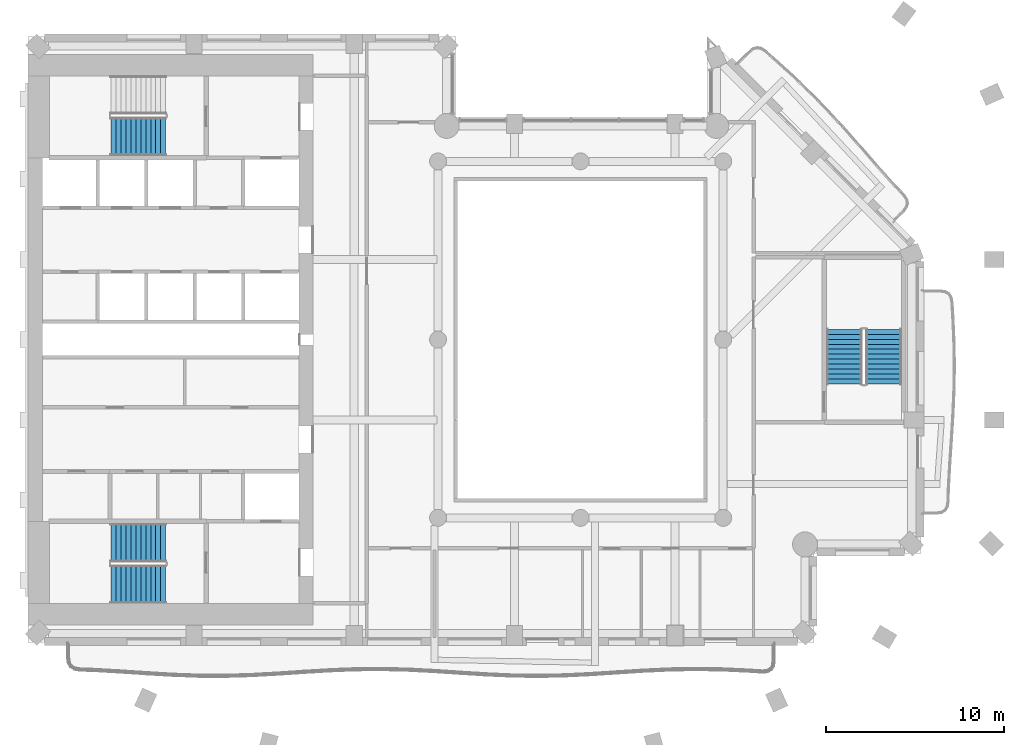
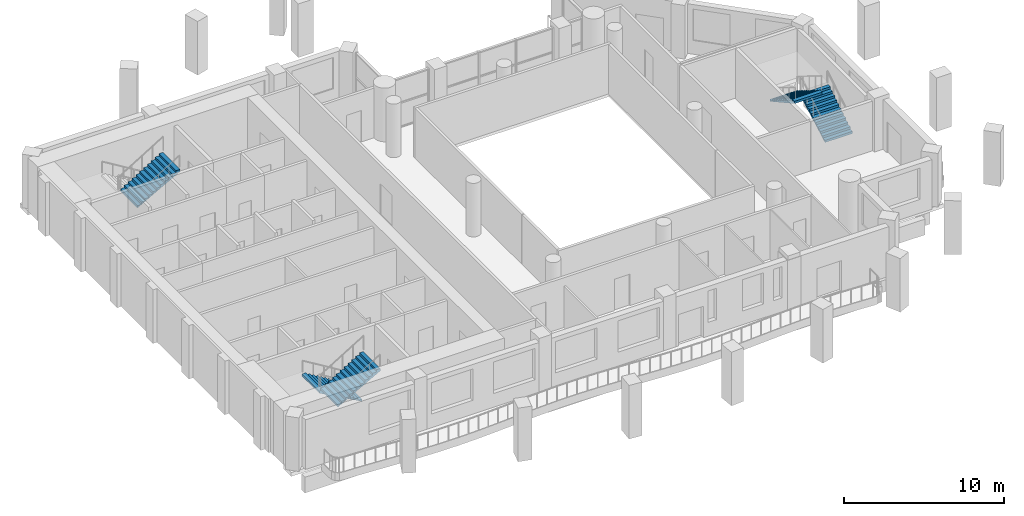
# One storey, part 7 of 13: 5 stair flights, 3 elements without a shape of their own.
"""IFC4 building model written with IfcOpenShell, lengths in metres."""

from ifc_helpers import new_model, si_unit, direction, frame, origin, place, context, subcontext, project, spatial, triangles, material, type_object, element, aggregate, save


model = new_model("IFC4")

# Units and contexts
model_context = context("Model", 3, precision=1e-05, world=origin(), true_north=direction((0.0, 1.0)))
body_context = subcontext(model_context, "Body", "Model", "MODEL_VIEW")
ifc_project = project(units=[si_unit("LENGTHUNIT", "METRE"), si_unit("AREAUNIT", "SQUARE_METRE"), si_unit("VOLUMEUNIT", "CUBIC_METRE"), si_unit("PLANEANGLEUNIT", "RADIAN"), si_unit("MASSUNIT", "GRAM", prefix="KILO")], contexts=[model_context])

# Site, building, storey
site_placement = place(None, origin())
site = spatial("IfcSite", under=ifc_project, at=site_placement, CompositionType="ELEMENT")
building_placement = place(site_placement, origin())
building = spatial("IfcBuilding", under=site, at=building_placement, Name="Cypress Arch Tower", CompositionType="ELEMENT")
storey_placement = place(building_placement, frame((0.0, 0.0, 209.699951171875)))
storey = spatial("IfcBuildingStorey", under=building, at=storey_placement, Name="L46", CompositionType="ELEMENT", Elevation=209.699951171875)

# Stair, stair flights
ifc_material_1 = material(Name="Concrete C40/50", Category="concrete")
stair_type_1 = type_object("IfcStairType", Name="Exit stair ES1708-200", PredefinedType="HALF_TURN_STAIR", material=ifc_material_1)
stair_1_placement = place(storey_placement, origin())
stair_1 = element("IfcStair", 1, at=stair_1_placement, inside=storey, type_object=stair_type_1, Name="L46 Exit stair C", PredefinedType="HALF_TURN_STAIR")
ifc_material_2 = material(Name="Concrete C40/50", Category="concrete")
stair_flight_type_1 = type_object("IfcStairFlightType", Name="Exit stair flight ES1708-200", PredefinedType="STRAIGHT", material=ifc_material_2)
stair_flight_1_placement = place(storey_placement, frame((18.0, -2.5, 0.0), z_axis=(0.0, 0.0, 1.0), x_axis=(0.0, 1.0, 0.0)))
stair_flight_1 = element("IfcStairFlight", 2, at=stair_flight_1_placement, type_object=stair_flight_type_1, Name="C flight 1", NumberOfRisers=12, NumberOfTreads=11, PredefinedType="STRAIGHT", RiserHeight=0.170833333, TreadLength=0.28, context=body_context, shape_type="Tessellation", body=[
    triangles([(0.0, -1.0, 0.0), (0.0, -1.0, 0.1708984375), (0.280029296875, -1.0, 0.1708984375), (0.280029296875, -1.0, 0.341552734375), (0.56005859375, -1.0, 0.341552734375), (0.56005859375, -1.0, 0.512451171875), (0.840087890625, -1.0, 0.512451171875), (0.840087890625, -1.0, 0.683349609375), (1.1201171875, -1.0, 0.683349609375), (1.1201171875, -1.0, 0.854248046875), (1.39990234375, -1.0, 0.854248046875), (1.39990234375, -1.0, 1.02490234375), (1.679931640625, -1.0, 1.02490234375), (1.679931640625, -1.0, 1.19580078125), (1.9599609375, -1.0, 1.19580078125), (1.9599609375, -1.0, 1.36669921875), (2.239990234375, -1.0, 1.36669921875), (2.239990234375, -1.0, 1.53759765625), (2.52001953125, -1.0, 1.53759765625), (2.52001953125, -1.0, 1.708251953125), (2.800048828125, -1.0, 1.708251953125), (2.800048828125, -1.0, 1.879150390625), (3.080078125, -1.0, 1.879150390625), (3.080078125, -1.0, 1.70361328125), (3.080078125, 1.0, 1.70361328125), (3.080078125, 1.0, 1.879150390625), (2.800048828125, 1.0, 1.879150390625), (2.800048828125, 1.0, 1.708251953125), (2.52001953125, 1.0, 1.708251953125), (2.52001953125, 1.0, 1.53759765625), (2.239990234375, 1.0, 1.53759765625), (2.239990234375, 1.0, 1.36669921875), (1.9599609375, 1.0, 1.36669921875), (1.9599609375, 1.0, 1.19580078125), (1.679931640625, 1.0, 1.19580078125), (1.679931640625, 1.0, 1.02490234375), (1.39990234375, 1.0, 1.02490234375), (1.39990234375, 1.0, 0.854248046875), (1.1201171875, 1.0, 0.854248046875), (1.1201171875, 1.0, 0.683349609375), (0.840087890625, 1.0, 0.683349609375), (0.840087890625, 1.0, 0.512451171875), (0.56005859375, 1.0, 0.512451171875), (0.56005859375, 1.0, 0.341552734375), (0.280029296875, 1.0, 0.341552734375), (0.280029296875, 1.0, 0.1708984375), (0.0, 1.0, 0.1708984375), (0.0, 1.0, 0.0), (3.080078125, 0.0, 1.879150390625), (3.080078125, 0.0, 1.70361328125), (2.800048828125, 0.0, 1.879150390625), (2.800048828125, 0.0, 1.708251953125), (2.52001953125, 0.0, 1.708251953125), (2.52001953125, 0.0, 1.53759765625), (2.239990234375, 0.0, 1.53759765625), (2.239990234375, 0.0, 1.36669921875), (1.9599609375, 0.0, 1.36669921875), (1.9599609375, 0.0, 1.19580078125), (1.679931640625, 0.0, 1.19580078125), (1.679931640625, 0.0, 1.02490234375), (1.39990234375, 0.0, 1.02490234375), (1.39990234375, 0.0, 0.854248046875), (1.1201171875, 0.0, 0.854248046875), (1.1201171875, 0.0, 0.683349609375), (0.840087890625, 0.0, 0.683349609375), (0.840087890625, 0.0, 0.512451171875), (0.56005859375, 0.0, 0.512451171875), (0.56005859375, 0.0, 0.341552734375), (0.280029296875, 0.0, 0.341552734375), (0.280029296875, 0.0, 0.1708984375), (0.0, 0.0, 0.1708984375), (0.0, 0.0, 0.0)], [[24, 23, 22], [11, 10, 9], [19, 18, 17], [17, 16, 15], [15, 14, 13], [9, 8, 7], [7, 6, 5], [3, 2, 1], [21, 20, 19], [13, 12, 11], [5, 4, 3], [24, 22, 21], [24, 21, 19], [24, 19, 17], [24, 17, 15], [24, 15, 13], [24, 13, 11], [24, 11, 9], [24, 9, 7], [24, 7, 5], [1, 24, 5], [5, 3, 1], [25, 27, 26], [38, 40, 39], [30, 32, 31], [32, 34, 33], [34, 36, 35], [40, 42, 41], [42, 44, 43], [46, 48, 47], [28, 30, 29], [36, 38, 37], [44, 46, 45], [25, 28, 27], [25, 30, 28], [25, 32, 30], [25, 34, 32], [25, 36, 34], [25, 38, 36], [25, 40, 38], [25, 42, 40], [25, 44, 42], [48, 44, 25], [44, 48, 46], [50, 49, 23], [50, 23, 24], [25, 26, 49], [25, 49, 50], [49, 51, 22], [49, 22, 23], [26, 27, 51], [26, 51, 49], [51, 52, 21], [51, 21, 22], [27, 28, 52], [27, 52, 51], [52, 53, 20], [52, 20, 21], [28, 29, 53], [28, 53, 52], [53, 54, 19], [53, 19, 20], [29, 30, 54], [29, 54, 53], [54, 55, 18], [54, 18, 19], [30, 31, 55], [30, 55, 54], [55, 56, 17], [55, 17, 18], [31, 32, 56], [31, 56, 55], [56, 57, 16], [56, 16, 17], [32, 33, 57], [32, 57, 56], [57, 58, 15], [57, 15, 16], [33, 34, 58], [33, 58, 57], [58, 59, 14], [58, 14, 15], [34, 35, 59], [34, 59, 58], [59, 60, 13], [59, 13, 14], [35, 36, 60], [35, 60, 59], [60, 61, 12], [60, 12, 13], [36, 37, 61], [36, 61, 60], [61, 62, 11], [61, 11, 12], [37, 38, 62], [37, 62, 61], [62, 63, 10], [62, 10, 11], [38, 39, 63], [38, 63, 62], [63, 64, 9], [63, 9, 10], [39, 40, 64], [39, 64, 63], [64, 65, 8], [64, 8, 9], [40, 41, 65], [40, 65, 64], [65, 66, 7], [65, 7, 8], [41, 42, 66], [41, 66, 65], [66, 67, 6], [66, 6, 7], [42, 43, 67], [42, 67, 66], [67, 68, 5], [67, 5, 6], [43, 44, 68], [43, 68, 67], [68, 69, 4], [68, 4, 5], [44, 45, 69], [44, 69, 68], [69, 70, 3], [69, 3, 4], [45, 46, 70], [45, 70, 69], [70, 71, 2], [70, 2, 3], [46, 47, 71], [46, 71, 70], [71, 72, 1], [71, 1, 2], [47, 48, 72], [47, 72, 71], [72, 50, 24], [72, 24, 1], [48, 25, 50], [48, 50, 72]], closed=True),
])
stair_flight_2_placement = place(storey_placement, frame((15.800048828125, 0.580078125, 2.050048828125), z_axis=(0.0, 0.0, 1.0), x_axis=(0.0, -1.0, 0.0)))
stair_flight_2 = element("IfcStairFlight", 3, at=stair_flight_2_placement, type_object=stair_flight_type_1, Name="C flight 2", NumberOfRisers=12, NumberOfTreads=11, PredefinedType="STRAIGHT", RiserHeight=0.170833333, TreadLength=0.28, context=body_context, shape_type="Tessellation", body=[
    triangles([(0.0, -1.0, 0.0), (0.0, -1.0, 0.1708984375), (0.280029296875, -1.0, 0.1708984375), (0.280029296875, -1.0, 0.341552734375), (0.56005859375, -1.0, 0.341552734375), (0.56005859375, -1.0, 0.512451171875), (0.840087890625, -1.0, 0.512451171875), (0.840087890625, -1.0, 0.683349609375), (1.1201171875, -1.0, 0.683349609375), (1.1201171875, -1.0, 0.854248046875), (1.39990234375, -1.0, 0.854248046875), (1.39990234375, -1.0, 1.02490234375), (1.679931640625, -1.0, 1.02490234375), (1.679931640625, -1.0, 1.19580078125), (1.9599609375, -1.0, 1.19580078125), (1.9599609375, -1.0, 1.36669921875), (2.239990234375, -1.0, 1.36669921875), (2.239990234375, -1.0, 1.53759765625), (2.52001953125, -1.0, 1.53759765625), (2.52001953125, -1.0, 1.708251953125), (2.800048828125, -1.0, 1.708251953125), (2.800048828125, -1.0, 1.879150390625), (3.080078125, -1.0, 1.879150390625), (3.080078125, -1.0, 1.70361328125), (3.080078125, 1.0, 1.70361328125), (3.080078125, 1.0, 1.879150390625), (2.800048828125, 1.0, 1.879150390625), (2.800048828125, 1.0, 1.708251953125), (2.52001953125, 1.0, 1.708251953125), (2.52001953125, 1.0, 1.53759765625), (2.239990234375, 1.0, 1.53759765625), (2.239990234375, 1.0, 1.36669921875), (1.9599609375, 1.0, 1.36669921875), (1.9599609375, 1.0, 1.19580078125), (1.679931640625, 1.0, 1.19580078125), (1.679931640625, 1.0, 1.02490234375), (1.39990234375, 1.0, 1.02490234375), (1.39990234375, 1.0, 0.854248046875), (1.1201171875, 1.0, 0.854248046875), (1.1201171875, 1.0, 0.683349609375), (0.840087890625, 1.0, 0.683349609375), (0.840087890625, 1.0, 0.512451171875), (0.56005859375, 1.0, 0.512451171875), (0.56005859375, 1.0, 0.341552734375), (0.280029296875, 1.0, 0.341552734375), (0.280029296875, 1.0, 0.1708984375), (0.0, 1.0, 0.1708984375), (0.0, 1.0, 0.0), (3.080078125, 0.0, 1.879150390625), (3.080078125, 0.0, 1.70361328125), (2.800048828125, 0.0, 1.879150390625), (2.800048828125, 0.0, 1.708251953125), (2.52001953125, 0.0, 1.708251953125), (2.52001953125, 0.0, 1.53759765625), (2.239990234375, 0.0, 1.53759765625), (2.239990234375, 0.0, 1.36669921875), (1.9599609375, 0.0, 1.36669921875), (1.9599609375, 0.0, 1.19580078125), (1.679931640625, 0.0, 1.19580078125), (1.679931640625, 0.0, 1.02490234375), (1.39990234375, 0.0, 1.02490234375), (1.39990234375, 0.0, 0.854248046875), (1.1201171875, 0.0, 0.854248046875), (1.1201171875, 0.0, 0.683349609375), (0.840087890625, 0.0, 0.683349609375), (0.840087890625, 0.0, 0.512451171875), (0.56005859375, 0.0, 0.512451171875), (0.56005859375, 0.0, 0.341552734375), (0.280029296875, 0.0, 0.341552734375), (0.280029296875, 0.0, 0.1708984375), (0.0, 0.0, 0.1708984375), (0.0, 0.0, 0.0)], [[24, 23, 22], [11, 10, 9], [19, 18, 17], [17, 16, 15], [15, 14, 13], [9, 8, 7], [7, 6, 5], [3, 2, 1], [21, 20, 19], [13, 12, 11], [5, 4, 3], [24, 22, 21], [24, 21, 19], [24, 19, 17], [24, 17, 15], [24, 15, 13], [24, 13, 11], [24, 11, 9], [24, 9, 7], [24, 7, 5], [1, 24, 5], [5, 3, 1], [25, 27, 26], [38, 40, 39], [30, 32, 31], [32, 34, 33], [34, 36, 35], [40, 42, 41], [42, 44, 43], [46, 48, 47], [28, 30, 29], [36, 38, 37], [44, 46, 45], [25, 28, 27], [25, 30, 28], [25, 32, 30], [25, 34, 32], [25, 36, 34], [25, 38, 36], [25, 40, 38], [25, 42, 40], [25, 44, 42], [48, 44, 25], [44, 48, 46], [50, 49, 23], [50, 23, 24], [25, 26, 49], [25, 49, 50], [49, 51, 22], [49, 22, 23], [26, 27, 51], [26, 51, 49], [51, 52, 21], [51, 21, 22], [27, 28, 52], [27, 52, 51], [52, 53, 20], [52, 20, 21], [28, 29, 53], [28, 53, 52], [53, 54, 19], [53, 19, 20], [29, 30, 54], [29, 54, 53], [54, 55, 18], [54, 18, 19], [30, 31, 55], [30, 55, 54], [55, 56, 17], [55, 17, 18], [31, 32, 56], [31, 56, 55], [56, 57, 16], [56, 16, 17], [32, 33, 57], [32, 57, 56], [57, 58, 15], [57, 15, 16], [33, 34, 58], [33, 58, 57], [58, 59, 14], [58, 14, 15], [34, 35, 59], [34, 59, 58], [59, 60, 13], [59, 13, 14], [35, 36, 60], [35, 60, 59], [60, 61, 12], [60, 12, 13], [36, 37, 61], [36, 61, 60], [61, 62, 11], [61, 11, 12], [37, 38, 62], [37, 62, 61], [62, 63, 10], [62, 10, 11], [38, 39, 63], [38, 63, 62], [63, 64, 9], [63, 9, 10], [39, 40, 64], [39, 64, 63], [64, 65, 8], [64, 8, 9], [40, 41, 65], [40, 65, 64], [65, 66, 7], [65, 7, 8], [41, 42, 66], [41, 66, 65], [66, 67, 6], [66, 6, 7], [42, 43, 67], [42, 67, 66], [67, 68, 5], [67, 5, 6], [43, 44, 68], [43, 68, 67], [68, 69, 4], [68, 4, 5], [44, 45, 69], [44, 69, 68], [69, 70, 3], [69, 3, 4], [45, 46, 70], [45, 70, 69], [70, 71, 2], [70, 2, 3], [46, 47, 71], [46, 71, 70], [71, 72, 1], [71, 1, 2], [47, 48, 72], [47, 72, 71], [72, 50, 24], [72, 24, 1], [48, 25, 50], [48, 50, 72]], closed=True),
])
aggregate(stair_1, [stair_flight_1, stair_flight_2])

ifc_material_3 = material(Name="Concrete C40/50", Category="concrete")
stair_type_2 = type_object("IfcStairType", Name="Exit stair ES1708-215", PredefinedType="HALF_TURN_STAIR", material=ifc_material_3)
stair_2_placement = place(storey_placement, origin())
stair_2 = element("IfcStair", 4, at=stair_2_placement, inside=storey, type_object=stair_type_2, Name="L46 Exit stair A", PredefinedType="HALF_TURN_STAIR")
ifc_material_4 = material(Name="Concrete C40/50", Category="concrete")
stair_flight_type_2 = type_object("IfcStairFlightType", Name="Exit stair flight ES1708-215", PredefinedType="STRAIGHT", material=ifc_material_4)
stair_flight_3_placement = place(storey_placement, frame((-22.27490234375, -11.39990234375, 0.0), z_axis=(0.0, 0.0, 1.0), x_axis=(-1.0, 0.0, 0.0)))
stair_flight_3 = element("IfcStairFlight", 5, at=stair_flight_3_placement, type_object=stair_flight_type_2, Name="A flight 1", NumberOfRisers=12, NumberOfTreads=11, PredefinedType="STRAIGHT", RiserHeight=0.170833333, TreadLength=0.28, context=body_context, shape_type="Tessellation", body=[
    triangles([(0.0, -1.074951171875, 0.0), (0.000244140625, -1.074951171875, 0.01904296875), (0.000244140625, -1.074951171875, 0.0380859375), (0.00048828125, -1.074951171875, 0.056884765625), (0.00048828125, -1.074951171875, 0.075927734375), (0.00048828125, -1.074951171875, 0.094970703125), (0.00048828125, -1.074951171875, 0.114013671875), (0.000244140625, -1.074951171875, 0.1328125), (0.000244140625, -1.074951171875, 0.15185546875), (0.0, -1.074951171875, 0.1708984375), (0.280029296875, -1.074951171875, 0.1708984375), (0.280029296875, -1.074951171875, 0.341552734375), (0.56005859375, -1.074951171875, 0.341552734375), (0.56005859375, -1.074951171875, 0.512451171875), (0.840087890625, -1.074951171875, 0.512451171875), (0.840087890625, -1.074951171875, 0.683349609375), (1.1201171875, -1.074951171875, 0.683349609375), (1.1201171875, -1.074951171875, 0.854248046875), (1.39990234375, -1.074951171875, 0.854248046875), (1.39990234375, -1.074951171875, 1.02490234375), (1.679931640625, -1.074951171875, 1.02490234375), (1.679931640625, -1.074951171875, 1.19580078125), (1.9599609375, -1.074951171875, 1.19580078125), (1.9599609375, -1.074951171875, 1.36669921875), (2.239990234375, -1.074951171875, 1.36669921875), (2.239990234375, -1.074951171875, 1.53759765625), (2.52001953125, -1.074951171875, 1.53759765625), (2.52001953125, -1.074951171875, 1.708251953125), (2.800048828125, -1.074951171875, 1.708251953125), (2.800048828125, -1.074951171875, 1.879150390625), (3.080078125, -1.074951171875, 1.879150390625), (3.079833984375, -1.074951171875, 1.859619140625), (3.079833984375, -1.074951171875, 1.840087890625), (3.07958984375, -1.074951171875, 1.820556640625), (3.07958984375, -1.074951171875, 1.801025390625), (3.07958984375, -1.074951171875, 1.78173828125), (3.07958984375, -1.074951171875, 1.76220703125), (3.079833984375, -1.074951171875, 1.74267578125), (3.079833984375, -1.074951171875, 1.72314453125), (3.080078125, -1.074951171875, 1.70361328125), (3.080078125, 1.074951171875, 1.70361328125), (3.079833984375, 1.074951171875, 1.72314453125), (3.079833984375, 1.074951171875, 1.74267578125), (3.07958984375, 1.074951171875, 1.76220703125), (3.07958984375, 1.074951171875, 1.78173828125), (3.07958984375, 1.074951171875, 1.801025390625), (3.07958984375, 1.074951171875, 1.820556640625), (3.079833984375, 1.074951171875, 1.840087890625), (3.079833984375, 1.074951171875, 1.859619140625), (3.080078125, 1.074951171875, 1.879150390625), (2.800048828125, 1.074951171875, 1.879150390625), (2.800048828125, 1.074951171875, 1.708251953125), (2.52001953125, 1.074951171875, 1.708251953125), (2.52001953125, 1.074951171875, 1.53759765625), (2.239990234375, 1.074951171875, 1.53759765625), (2.239990234375, 1.074951171875, 1.36669921875), (1.9599609375, 1.074951171875, 1.36669921875), (1.9599609375, 1.074951171875, 1.19580078125), (1.679931640625, 1.074951171875, 1.19580078125), (1.679931640625, 1.074951171875, 1.02490234375), (1.39990234375, 1.074951171875, 1.02490234375), (1.39990234375, 1.074951171875, 0.854248046875), (1.1201171875, 1.074951171875, 0.854248046875), (1.1201171875, 1.074951171875, 0.683349609375), (0.840087890625, 1.074951171875, 0.683349609375), (0.840087890625, 1.074951171875, 0.512451171875), (0.56005859375, 1.074951171875, 0.512451171875), (0.56005859375, 1.074951171875, 0.341552734375), (0.280029296875, 1.074951171875, 0.341552734375), (0.280029296875, 1.074951171875, 0.1708984375), (0.0, 1.074951171875, 0.1708984375), (0.000244140625, 1.074951171875, 0.15185546875), (0.000244140625, 1.074951171875, 0.1328125), (0.00048828125, 1.074951171875, 0.114013671875), (0.00048828125, 1.074951171875, 0.094970703125), (0.00048828125, 1.074951171875, 0.075927734375), (0.00048828125, 1.074951171875, 0.056884765625), (0.000244140625, 1.074951171875, 0.0380859375), (0.000244140625, 1.074951171875, 0.01904296875), (0.0, 1.074951171875, 0.0)], [[40, 39, 30], [39, 38, 30], [38, 37, 30], [37, 36, 30], [36, 35, 30], [35, 34, 30], [34, 33, 30], [33, 32, 30], [32, 31, 30], [19, 18, 17], [27, 26, 25], [25, 24, 23], [23, 22, 21], [17, 16, 15], [15, 14, 13], [10, 9, 11], [9, 8, 11], [8, 7, 11], [7, 6, 11], [6, 5, 11], [5, 4, 11], [4, 3, 11], [3, 2, 11], [2, 1, 11], [29, 28, 27], [21, 20, 19], [13, 12, 11], [40, 30, 29], [40, 29, 27], [40, 27, 25], [40, 25, 23], [40, 23, 21], [40, 21, 19], [40, 19, 17], [40, 17, 15], [40, 15, 13], [1, 40, 13], [13, 11, 1], [41, 51, 42], [42, 51, 43], [43, 51, 44], [44, 51, 45], [45, 51, 46], [46, 51, 47], [47, 51, 48], [48, 51, 49], [49, 51, 50], [62, 64, 63], [54, 56, 55], [56, 58, 57], [58, 60, 59], [64, 66, 65], [66, 68, 67], [71, 70, 72], [72, 70, 73], [73, 70, 74], [74, 70, 75], [75, 70, 76], [76, 70, 77], [77, 70, 78], [78, 70, 79], [79, 70, 80], [52, 54, 53], [60, 62, 61], [68, 70, 69], [41, 52, 51], [41, 54, 52], [41, 56, 54], [41, 58, 56], [41, 60, 58], [41, 62, 60], [41, 64, 62], [41, 66, 64], [41, 68, 66], [80, 68, 41], [68, 80, 70], [41, 42, 39], [41, 39, 40], [42, 43, 38], [42, 38, 39], [43, 44, 37], [43, 37, 38], [44, 45, 36], [44, 36, 37], [45, 46, 35], [45, 35, 36], [46, 47, 34], [46, 34, 35], [47, 48, 33], [47, 33, 34], [48, 49, 32], [48, 32, 33], [49, 50, 31], [49, 31, 32], [50, 51, 30], [50, 30, 31], [51, 52, 29], [51, 29, 30], [52, 53, 28], [52, 28, 29], [53, 54, 27], [53, 27, 28], [54, 55, 26], [54, 26, 27], [55, 56, 25], [55, 25, 26], [56, 57, 24], [56, 24, 25], [57, 58, 23], [57, 23, 24], [58, 59, 22], [58, 22, 23], [59, 60, 21], [59, 21, 22], [60, 61, 20], [60, 20, 21], [61, 62, 19], [61, 19, 20], [62, 63, 18], [62, 18, 19], [63, 64, 17], [63, 17, 18], [64, 65, 16], [64, 16, 17], [65, 66, 15], [65, 15, 16], [66, 67, 14], [66, 14, 15], [67, 68, 13], [67, 13, 14], [68, 69, 12], [68, 12, 13], [69, 70, 11], [69, 11, 12], [70, 71, 10], [70, 10, 11], [71, 72, 9], [71, 9, 10], [72, 73, 8], [72, 8, 9], [73, 74, 7], [73, 7, 8], [74, 75, 6], [74, 6, 7], [75, 76, 5], [75, 5, 6], [76, 77, 4], [76, 4, 5], [77, 78, 3], [77, 3, 4], [78, 79, 2], [78, 2, 3], [79, 80, 1], [79, 1, 2], [80, 41, 40], [80, 40, 1]], closed=True),
])
stair_flight_4_placement = place(storey_placement, frame((-25.35498046875, -13.72509765625, 2.050048828125), z_axis=(0.0, 0.0, 1.0), x_axis=(1.0, 0.0, 0.0)))
stair_flight_4 = element("IfcStairFlight", 6, at=stair_flight_4_placement, type_object=stair_flight_type_2, Name="A flight 2", NumberOfRisers=12, NumberOfTreads=11, PredefinedType="STRAIGHT", RiserHeight=0.170833333, TreadLength=0.28, context=body_context, shape_type="Tessellation", body=[
    triangles([(0.0, -1.074951171875, 0.0), (0.000244140625, -1.074951171875, 0.01904296875), (0.000244140625, -1.074951171875, 0.0380859375), (0.00048828125, -1.074951171875, 0.056884765625), (0.00048828125, -1.074951171875, 0.075927734375), (0.00048828125, -1.074951171875, 0.094970703125), (0.00048828125, -1.074951171875, 0.114013671875), (0.000244140625, -1.074951171875, 0.1328125), (0.000244140625, -1.074951171875, 0.15185546875), (0.0, -1.074951171875, 0.1708984375), (0.280029296875, -1.074951171875, 0.1708984375), (0.280029296875, -1.074951171875, 0.341552734375), (0.56005859375, -1.074951171875, 0.341552734375), (0.56005859375, -1.074951171875, 0.512451171875), (0.840087890625, -1.074951171875, 0.512451171875), (0.840087890625, -1.074951171875, 0.683349609375), (1.1201171875, -1.074951171875, 0.683349609375), (1.1201171875, -1.074951171875, 0.854248046875), (1.39990234375, -1.074951171875, 0.854248046875), (1.39990234375, -1.074951171875, 1.02490234375), (1.679931640625, -1.074951171875, 1.02490234375), (1.679931640625, -1.074951171875, 1.19580078125), (1.9599609375, -1.074951171875, 1.19580078125), (1.9599609375, -1.074951171875, 1.36669921875), (2.239990234375, -1.074951171875, 1.36669921875), (2.239990234375, -1.074951171875, 1.53759765625), (2.52001953125, -1.074951171875, 1.53759765625), (2.52001953125, -1.074951171875, 1.708251953125), (2.800048828125, -1.074951171875, 1.708251953125), (2.800048828125, -1.074951171875, 1.879150390625), (3.080078125, -1.074951171875, 1.879150390625), (3.079833984375, -1.074951171875, 1.859619140625), (3.079833984375, -1.074951171875, 1.840087890625), (3.07958984375, -1.074951171875, 1.820556640625), (3.07958984375, -1.074951171875, 1.801025390625), (3.07958984375, -1.074951171875, 1.78173828125), (3.07958984375, -1.074951171875, 1.76220703125), (3.079833984375, -1.074951171875, 1.74267578125), (3.079833984375, -1.074951171875, 1.72314453125), (3.080078125, -1.074951171875, 1.70361328125), (3.080078125, 1.074951171875, 1.70361328125), (3.079833984375, 1.074951171875, 1.72314453125), (3.079833984375, 1.074951171875, 1.74267578125), (3.07958984375, 1.074951171875, 1.76220703125), (3.07958984375, 1.074951171875, 1.78173828125), (3.07958984375, 1.074951171875, 1.801025390625), (3.07958984375, 1.074951171875, 1.820556640625), (3.079833984375, 1.074951171875, 1.840087890625), (3.079833984375, 1.074951171875, 1.859619140625), (3.080078125, 1.074951171875, 1.879150390625), (2.800048828125, 1.074951171875, 1.879150390625), (2.800048828125, 1.074951171875, 1.708251953125), (2.52001953125, 1.074951171875, 1.708251953125), (2.52001953125, 1.074951171875, 1.53759765625), (2.239990234375, 1.074951171875, 1.53759765625), (2.239990234375, 1.074951171875, 1.36669921875), (1.9599609375, 1.074951171875, 1.36669921875), (1.9599609375, 1.074951171875, 1.19580078125), (1.679931640625, 1.074951171875, 1.19580078125), (1.679931640625, 1.074951171875, 1.02490234375), (1.39990234375, 1.074951171875, 1.02490234375), (1.39990234375, 1.074951171875, 0.854248046875), (1.1201171875, 1.074951171875, 0.854248046875), (1.1201171875, 1.074951171875, 0.683349609375), (0.840087890625, 1.074951171875, 0.683349609375), (0.840087890625, 1.074951171875, 0.512451171875), (0.56005859375, 1.074951171875, 0.512451171875), (0.56005859375, 1.074951171875, 0.341552734375), (0.280029296875, 1.074951171875, 0.341552734375), (0.280029296875, 1.074951171875, 0.1708984375), (0.0, 1.074951171875, 0.1708984375), (0.000244140625, 1.074951171875, 0.15185546875), (0.000244140625, 1.074951171875, 0.1328125), (0.00048828125, 1.074951171875, 0.114013671875), (0.00048828125, 1.074951171875, 0.094970703125), (0.00048828125, 1.074951171875, 0.075927734375), (0.00048828125, 1.074951171875, 0.056884765625), (0.000244140625, 1.074951171875, 0.0380859375), (0.000244140625, 1.074951171875, 0.01904296875), (0.0, 1.074951171875, 0.0)], [[40, 39, 30], [39, 38, 30], [38, 37, 30], [37, 36, 30], [36, 35, 30], [35, 34, 30], [34, 33, 30], [33, 32, 30], [32, 31, 30], [19, 18, 17], [27, 26, 25], [25, 24, 23], [23, 22, 21], [17, 16, 15], [15, 14, 13], [10, 9, 11], [9, 8, 11], [8, 7, 11], [7, 6, 11], [6, 5, 11], [5, 4, 11], [4, 3, 11], [3, 2, 11], [2, 1, 11], [29, 28, 27], [21, 20, 19], [13, 12, 11], [40, 30, 29], [40, 29, 27], [40, 27, 25], [40, 25, 23], [40, 23, 21], [40, 21, 19], [40, 19, 17], [40, 17, 15], [40, 15, 13], [1, 40, 13], [13, 11, 1], [41, 51, 42], [42, 51, 43], [43, 51, 44], [44, 51, 45], [45, 51, 46], [46, 51, 47], [47, 51, 48], [48, 51, 49], [49, 51, 50], [62, 64, 63], [54, 56, 55], [56, 58, 57], [58, 60, 59], [64, 66, 65], [66, 68, 67], [71, 70, 72], [72, 70, 73], [73, 70, 74], [74, 70, 75], [75, 70, 76], [76, 70, 77], [77, 70, 78], [78, 70, 79], [79, 70, 80], [52, 54, 53], [60, 62, 61], [68, 70, 69], [41, 52, 51], [41, 54, 52], [41, 56, 54], [41, 58, 56], [41, 60, 58], [41, 62, 60], [41, 64, 62], [41, 66, 64], [41, 68, 66], [80, 68, 41], [68, 80, 70], [41, 42, 39], [41, 39, 40], [42, 43, 38], [42, 38, 39], [43, 44, 37], [43, 37, 38], [44, 45, 36], [44, 36, 37], [45, 46, 35], [45, 35, 36], [46, 47, 34], [46, 34, 35], [47, 48, 33], [47, 33, 34], [48, 49, 32], [48, 32, 33], [49, 50, 31], [49, 31, 32], [50, 51, 30], [50, 30, 31], [51, 52, 29], [51, 29, 30], [52, 53, 28], [52, 28, 29], [53, 54, 27], [53, 27, 28], [54, 55, 26], [54, 26, 27], [55, 56, 25], [55, 25, 26], [56, 57, 24], [56, 24, 25], [57, 58, 23], [57, 23, 24], [58, 59, 22], [58, 22, 23], [59, 60, 21], [59, 21, 22], [60, 61, 20], [60, 20, 21], [61, 62, 19], [61, 19, 20], [62, 63, 18], [62, 18, 19], [63, 64, 17], [63, 17, 18], [64, 65, 16], [64, 16, 17], [65, 66, 15], [65, 15, 16], [66, 67, 14], [66, 14, 15], [67, 68, 13], [67, 13, 14], [68, 69, 12], [68, 12, 13], [69, 70, 11], [69, 11, 12], [70, 71, 10], [70, 10, 11], [71, 72, 9], [71, 9, 10], [72, 73, 8], [72, 8, 9], [73, 74, 7], [73, 7, 8], [74, 75, 6], [74, 6, 7], [75, 76, 5], [75, 5, 6], [76, 77, 4], [76, 4, 5], [77, 78, 3], [77, 3, 4], [78, 79, 2], [78, 2, 3], [79, 80, 1], [79, 1, 2], [80, 41, 40], [80, 40, 1]], closed=True),
])
aggregate(stair_2, [stair_flight_3, stair_flight_4])

# Stair, stair flight
stair_3_placement = place(storey_placement, origin())
stair_3 = element("IfcStair", 7, at=stair_3_placement, inside=storey, type_object=stair_type_2, Name="L46 Exit stair B", PredefinedType="HALF_TURN_STAIR")
stair_flight_5_placement = place(storey_placement, frame((-25.35498046875, 11.39990234375, 2.050048828125), z_axis=(0.0, 0.0, 1.0), x_axis=(1.0, 0.0, 0.0)))
stair_flight_5 = element("IfcStairFlight", 8, at=stair_flight_5_placement, type_object=stair_flight_type_2, Name="B flight 2", NumberOfRisers=12, NumberOfTreads=11, PredefinedType="STRAIGHT", RiserHeight=0.170833333, TreadLength=0.28, context=body_context, shape_type="Tessellation", body=[
    triangles([(0.0, -1.074951171875, 0.0), (0.000244140625, -1.074951171875, 0.01904296875), (0.000244140625, -1.074951171875, 0.0380859375), (0.00048828125, -1.074951171875, 0.056884765625), (0.00048828125, -1.074951171875, 0.075927734375), (0.00048828125, -1.074951171875, 0.094970703125), (0.00048828125, -1.074951171875, 0.114013671875), (0.000244140625, -1.074951171875, 0.1328125), (0.000244140625, -1.074951171875, 0.15185546875), (0.0, -1.074951171875, 0.1708984375), (0.280029296875, -1.074951171875, 0.1708984375), (0.280029296875, -1.074951171875, 0.341552734375), (0.56005859375, -1.074951171875, 0.341552734375), (0.56005859375, -1.074951171875, 0.512451171875), (0.840087890625, -1.074951171875, 0.512451171875), (0.840087890625, -1.074951171875, 0.683349609375), (1.1201171875, -1.074951171875, 0.683349609375), (1.1201171875, -1.074951171875, 0.854248046875), (1.39990234375, -1.074951171875, 0.854248046875), (1.39990234375, -1.074951171875, 1.02490234375), (1.679931640625, -1.074951171875, 1.02490234375), (1.679931640625, -1.074951171875, 1.19580078125), (1.9599609375, -1.074951171875, 1.19580078125), (1.9599609375, -1.074951171875, 1.36669921875), (2.239990234375, -1.074951171875, 1.36669921875), (2.239990234375, -1.074951171875, 1.53759765625), (2.52001953125, -1.074951171875, 1.53759765625), (2.52001953125, -1.074951171875, 1.708251953125), (2.800048828125, -1.074951171875, 1.708251953125), (2.800048828125, -1.074951171875, 1.879150390625), (3.080078125, -1.074951171875, 1.879150390625), (3.079833984375, -1.074951171875, 1.859619140625), (3.079833984375, -1.074951171875, 1.840087890625), (3.07958984375, -1.074951171875, 1.820556640625), (3.07958984375, -1.074951171875, 1.801025390625), (3.07958984375, -1.074951171875, 1.78173828125), (3.07958984375, -1.074951171875, 1.76220703125), (3.079833984375, -1.074951171875, 1.74267578125), (3.079833984375, -1.074951171875, 1.72314453125), (3.080078125, -1.074951171875, 1.70361328125), (3.080078125, 1.074951171875, 1.70361328125), (3.079833984375, 1.074951171875, 1.72314453125), (3.079833984375, 1.074951171875, 1.74267578125), (3.07958984375, 1.074951171875, 1.76220703125), (3.07958984375, 1.074951171875, 1.78173828125), (3.07958984375, 1.074951171875, 1.801025390625), (3.07958984375, 1.074951171875, 1.820556640625), (3.079833984375, 1.074951171875, 1.840087890625), (3.079833984375, 1.074951171875, 1.859619140625), (3.080078125, 1.074951171875, 1.879150390625), (2.800048828125, 1.074951171875, 1.879150390625), (2.800048828125, 1.074951171875, 1.708251953125), (2.52001953125, 1.074951171875, 1.708251953125), (2.52001953125, 1.074951171875, 1.53759765625), (2.239990234375, 1.074951171875, 1.53759765625), (2.239990234375, 1.074951171875, 1.36669921875), (1.9599609375, 1.074951171875, 1.36669921875), (1.9599609375, 1.074951171875, 1.19580078125), (1.679931640625, 1.074951171875, 1.19580078125), (1.679931640625, 1.074951171875, 1.02490234375), (1.39990234375, 1.074951171875, 1.02490234375), (1.39990234375, 1.074951171875, 0.854248046875), (1.1201171875, 1.074951171875, 0.854248046875), (1.1201171875, 1.074951171875, 0.683349609375), (0.840087890625, 1.074951171875, 0.683349609375), (0.840087890625, 1.074951171875, 0.512451171875), (0.56005859375, 1.074951171875, 0.512451171875), (0.56005859375, 1.074951171875, 0.341552734375), (0.280029296875, 1.074951171875, 0.341552734375), (0.280029296875, 1.074951171875, 0.1708984375), (0.0, 1.074951171875, 0.1708984375), (0.000244140625, 1.074951171875, 0.15185546875), (0.000244140625, 1.074951171875, 0.1328125), (0.00048828125, 1.074951171875, 0.114013671875), (0.00048828125, 1.074951171875, 0.094970703125), (0.00048828125, 1.074951171875, 0.075927734375), (0.00048828125, 1.074951171875, 0.056884765625), (0.000244140625, 1.074951171875, 0.0380859375), (0.000244140625, 1.074951171875, 0.01904296875), (0.0, 1.074951171875, 0.0)], [[40, 39, 30], [39, 38, 30], [38, 37, 30], [37, 36, 30], [36, 35, 30], [35, 34, 30], [34, 33, 30], [33, 32, 30], [32, 31, 30], [19, 18, 17], [27, 26, 25], [25, 24, 23], [23, 22, 21], [17, 16, 15], [15, 14, 13], [10, 9, 11], [9, 8, 11], [8, 7, 11], [7, 6, 11], [6, 5, 11], [5, 4, 11], [4, 3, 11], [3, 2, 11], [2, 1, 11], [29, 28, 27], [21, 20, 19], [13, 12, 11], [40, 30, 29], [40, 29, 27], [40, 27, 25], [40, 25, 23], [40, 23, 21], [40, 21, 19], [40, 19, 17], [40, 17, 15], [40, 15, 13], [1, 40, 13], [13, 11, 1], [41, 51, 42], [42, 51, 43], [43, 51, 44], [44, 51, 45], [45, 51, 46], [46, 51, 47], [47, 51, 48], [48, 51, 49], [49, 51, 50], [62, 64, 63], [54, 56, 55], [56, 58, 57], [58, 60, 59], [64, 66, 65], [66, 68, 67], [71, 70, 72], [72, 70, 73], [73, 70, 74], [74, 70, 75], [75, 70, 76], [76, 70, 77], [77, 70, 78], [78, 70, 79], [79, 70, 80], [52, 54, 53], [60, 62, 61], [68, 70, 69], [41, 52, 51], [41, 54, 52], [41, 56, 54], [41, 58, 56], [41, 60, 58], [41, 62, 60], [41, 64, 62], [41, 66, 64], [41, 68, 66], [80, 68, 41], [68, 80, 70], [41, 42, 39], [41, 39, 40], [42, 43, 38], [42, 38, 39], [43, 44, 37], [43, 37, 38], [44, 45, 36], [44, 36, 37], [45, 46, 35], [45, 35, 36], [46, 47, 34], [46, 34, 35], [47, 48, 33], [47, 33, 34], [48, 49, 32], [48, 32, 33], [49, 50, 31], [49, 31, 32], [50, 51, 30], [50, 30, 31], [51, 52, 29], [51, 29, 30], [52, 53, 28], [52, 28, 29], [53, 54, 27], [53, 27, 28], [54, 55, 26], [54, 26, 27], [55, 56, 25], [55, 25, 26], [56, 57, 24], [56, 24, 25], [57, 58, 23], [57, 23, 24], [58, 59, 22], [58, 22, 23], [59, 60, 21], [59, 21, 22], [60, 61, 20], [60, 20, 21], [61, 62, 19], [61, 19, 20], [62, 63, 18], [62, 18, 19], [63, 64, 17], [63, 17, 18], [64, 65, 16], [64, 16, 17], [65, 66, 15], [65, 15, 16], [66, 67, 14], [66, 14, 15], [67, 68, 13], [67, 13, 14], [68, 69, 12], [68, 12, 13], [69, 70, 11], [69, 11, 12], [70, 71, 10], [70, 10, 11], [71, 72, 9], [71, 9, 10], [72, 73, 8], [72, 8, 9], [73, 74, 7], [73, 7, 8], [74, 75, 6], [74, 6, 7], [75, 76, 5], [75, 5, 6], [76, 77, 4], [76, 4, 5], [77, 78, 3], [77, 3, 4], [78, 79, 2], [78, 2, 3], [79, 80, 1], [79, 1, 2], [80, 41, 40], [80, 40, 1]], closed=True),
])
aggregate(stair_3, [stair_flight_5])

save(model, "model.ifc")
